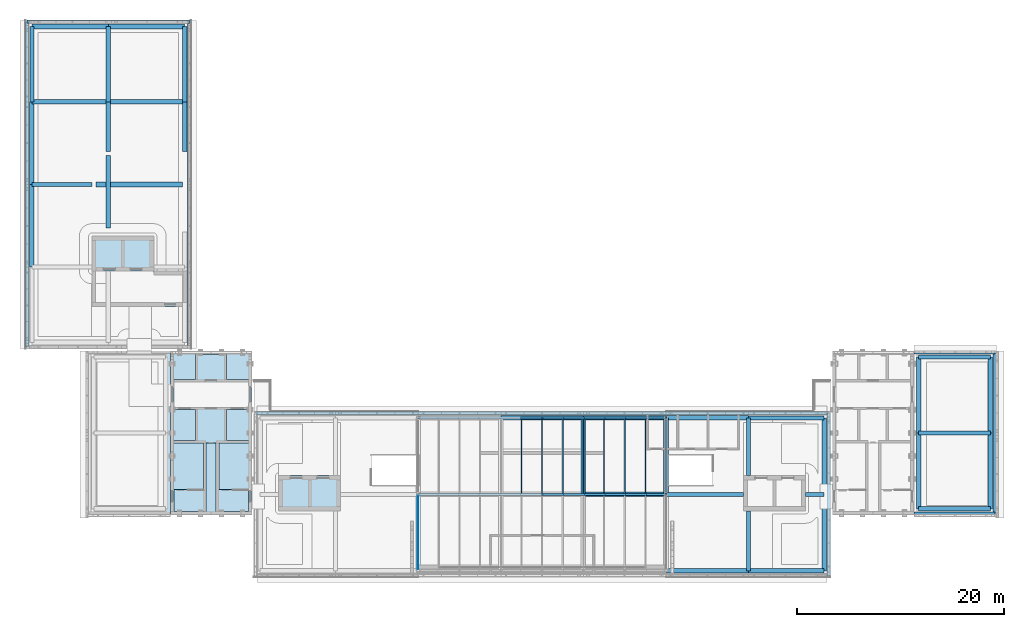
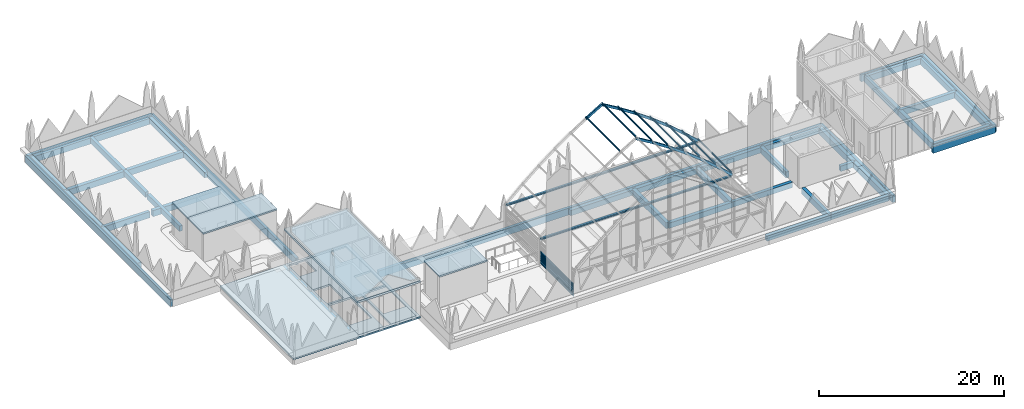
# One storey, part 7 of 18: 46 beams, 21 members, 7 plates, 6 slabs.
"""IFC4 building model written with IfcOpenShell, lengths in metres."""

from ifc_helpers import new_model, si_unit, direction, frame, origin, origin_2d, place, context, subcontext, project, spatial, polyline, rectangle, hollow_rectangle, i_section, outline, extrude, material, layer, layer_set, material_profile, profile_set, type_object, element, save


model = new_model("IFC4")

# Units and contexts
model_context = context("Model", 3, precision=1e-05, world=origin(), true_north=direction((0.0, 1.0)))
body_context = subcontext(model_context, "Body", "Model", "MODEL_VIEW")
ifc_project = project(units=[si_unit("LENGTHUNIT", "METRE"), si_unit("AREAUNIT", "SQUARE_METRE"), si_unit("VOLUMEUNIT", "CUBIC_METRE"), si_unit("PLANEANGLEUNIT", "RADIAN"), si_unit("MASSUNIT", "GRAM", prefix="KILO")], contexts=[model_context])

# Site, building, storey
site_placement = place(None, origin())
site = spatial("IfcSite", under=ifc_project, at=site_placement, CompositionType="ELEMENT")
building_placement = place(site_placement, origin())
building = spatial("IfcBuilding", under=site, at=building_placement, Name="Lantern Court Media Centre", CompositionType="ELEMENT")
storey_placement = place(building_placement, frame((0.0, 0.0, 33.60009765625)))
storey = spatial("IfcBuildingStorey", under=building, at=storey_placement, Name="R00", CompositionType="ELEMENT", Elevation=33.60009765625)

# Members
ifc_material_1 = material(Name="Steel S355J2 (EN 10025-2)", Category="steel")
ifc_material_profile_1 = material_profile(ifc_material_1, hollow_rectangle(XDim=0.199951171875, YDim=0.300048828125, WallThickness=0.010009765625, InnerFilletRadius=0.010009765625, OuterFilletRadius=0.014892578125, at=origin_2d()), Name="Pavilion arch RHS 300x200x10")
ifc_profile_set_1 = profile_set([ifc_material_profile_1], Name="Steel S355J2 (EN 10025-2)")
member_type_1 = type_object("IfcMemberType", Name="Pavilion arch RHS 300x200x10", PredefinedType="RAFTER", material=ifc_profile_set_1)
member_1_placement = place(storey_placement, frame((52.0, 50.0, 12.5), z_axis=(0.858932784057, 0.0, -0.512088344401), x_axis=(0.0, 1.0, 0.0)))
element("IfcMember", 1, at=member_1_placement, inside=storey, type_object=member_type_1, Name="Pavilion arch 2 segment 7", PredefinedType="RAFTER", context=body_context, shape_type="SweptSolid", body=[
    extrude(hollow_rectangle(XDim=0.199951171875, YDim=0.300048828125, WallThickness=0.010009765625, InnerFilletRadius=0.010009765625, OuterFilletRadius=0.014892578125, at=origin_2d()), origin(), (0.0, 0.0, 1.0), 2.328369140625),
])
member_2_placement = place(storey_placement, frame((54.0, 50.0, 11.3076171875), z_axis=(0.838153638931, 0.0, -0.5454342101), x_axis=(0.0, 1.0, 0.0)))
element("IfcMember", 2, at=member_2_placement, inside=storey, type_object=member_type_1, Name="Pavilion arch 2 segment 8", PredefinedType="RAFTER", context=body_context, shape_type="SweptSolid", body=[
    extrude(hollow_rectangle(XDim=0.199951171875, YDim=0.300048828125, WallThickness=0.010009765625, InnerFilletRadius=0.010009765625, OuterFilletRadius=0.014892578125, at=origin_2d()), origin(), (0.0, 0.0, 1.0), 2.38623046875),
])
member_3_placement = place(storey_placement, frame((56.0, 50.0, 10.006103515625), z_axis=(0.815538972935, 0.0, -0.578702154501), x_axis=(0.0, 1.0, 0.0)))
element("IfcMember", 3, at=member_3_placement, inside=storey, type_object=member_type_1, Name="Pavilion arch 2 segment 9", PredefinedType="RAFTER", context=body_context, shape_type="SweptSolid", body=[
    extrude(hollow_rectangle(XDim=0.199951171875, YDim=0.300048828125, WallThickness=0.010009765625, InnerFilletRadius=0.010009765625, OuterFilletRadius=0.014892578125, at=origin_2d()), origin(), (0.0, 0.0, 1.0), 2.452392578125),
])
member_4_placement = place(storey_placement, frame((58.0, 50.0, 8.5869140625), z_axis=(0.790779474833, 0.0, -0.612101153554), x_axis=(0.0, 1.0, 0.0)))
element("IfcMember", 4, at=member_4_placement, inside=storey, type_object=member_type_1, Name="Pavilion arch 2 segment 10", PredefinedType="RAFTER", context=body_context, shape_type="SweptSolid", body=[
    extrude(hollow_rectangle(XDim=0.199951171875, YDim=0.300048828125, WallThickness=0.010009765625, InnerFilletRadius=0.010009765625, OuterFilletRadius=0.014892578125, at=origin_2d()), origin(), (0.0, 0.0, 1.0), 2.529052734375),
])
member_5_placement = place(storey_placement, frame((60.0, 50.0, 7.038818359375), z_axis=(0.763785766205, 0.0, -0.645469831474), x_axis=(0.0, 1.0, 0.0)))
element("IfcMember", 5, at=member_5_placement, inside=storey, type_object=member_type_1, Name="Pavilion arch 2 segment 11", PredefinedType="RAFTER", context=body_context, shape_type="SweptSolid", body=[
    extrude(hollow_rectangle(XDim=0.199951171875, YDim=0.300048828125, WallThickness=0.010009765625, InnerFilletRadius=0.010009765625, OuterFilletRadius=0.014892578125, at=origin_2d()), origin(), (0.0, 0.0, 1.0), 2.61865234375),
])
member_6_placement = place(storey_placement, frame((62.0, 50.0, 5.3486328125), z_axis=(0.73434962729, 0.0, -0.678771408428), x_axis=(0.0, 1.0, 0.0)))
element("IfcMember", 6, at=member_6_placement, inside=storey, type_object=member_type_1, Name="Pavilion arch 2 segment 12", PredefinedType="RAFTER", context=body_context, shape_type="SweptSolid", body=[
    extrude(hollow_rectangle(XDim=0.199951171875, YDim=0.300048828125, WallThickness=0.010009765625, InnerFilletRadius=0.010009765625, OuterFilletRadius=0.014892578125, at=origin_2d()), origin(), (0.0, 0.0, 1.0), 2.723388671875),
])
for number, where, z_axis, x_axis, name in (
    (7, (50.0, 57.39990234375, 11.3076171875), (0.858932784057, 0.0, 0.512088344401), (0.0, 1.0, 0.0), "Pavilion arch 3 segment 6"),
    (8, (52.0, 57.39990234375, 12.5), (0.858932784057, 0.0, -0.512088344401), (0.0, 1.0, 0.0), "Pavilion arch 3 segment 7"),
):
    element("IfcMember", number, at=place(storey_placement, frame(where, z_axis=z_axis, x_axis=x_axis)), inside=storey, type_object=member_type_1, Name=name, PredefinedType="RAFTER", context=body_context, shape_type="SweptSolid", body=[
        extrude(hollow_rectangle(XDim=0.199951171875, YDim=0.300048828125, WallThickness=0.010009765625, InnerFilletRadius=0.010009765625, OuterFilletRadius=0.014892578125, at=origin_2d()), origin(), (0.0, 0.0, 1.0), 2.328369140625),
    ])
member_7_placement = place(storey_placement, frame((54.0, 57.39990234375, 11.3076171875), z_axis=(0.838153638931, 0.0, -0.5454342101), x_axis=(0.0, 1.0, 0.0)))
element("IfcMember", 9, at=member_7_placement, inside=storey, type_object=member_type_1, Name="Pavilion arch 3 segment 8", PredefinedType="RAFTER", context=body_context, shape_type="SweptSolid", body=[
    extrude(hollow_rectangle(XDim=0.199951171875, YDim=0.300048828125, WallThickness=0.010009765625, InnerFilletRadius=0.010009765625, OuterFilletRadius=0.014892578125, at=origin_2d()), origin(), (0.0, 0.0, 1.0), 2.38623046875),
])
member_8_placement = place(storey_placement, frame((56.0, 57.39990234375, 10.006103515625), z_axis=(0.815538972935, 0.0, -0.578702154501), x_axis=(0.0, 1.0, 0.0)))
element("IfcMember", 10, at=member_8_placement, inside=storey, type_object=member_type_1, Name="Pavilion arch 3 segment 9", PredefinedType="RAFTER", context=body_context, shape_type="SweptSolid", body=[
    extrude(hollow_rectangle(XDim=0.199951171875, YDim=0.300048828125, WallThickness=0.010009765625, InnerFilletRadius=0.010009765625, OuterFilletRadius=0.014892578125, at=origin_2d()), origin(), (0.0, 0.0, 1.0), 2.452392578125),
])
member_9_placement = place(storey_placement, frame((58.0, 57.39990234375, 8.5869140625), z_axis=(0.790779474833, 0.0, -0.612101153554), x_axis=(0.0, 1.0, 0.0)))
element("IfcMember", 11, at=member_9_placement, inside=storey, type_object=member_type_1, Name="Pavilion arch 3 segment 10", PredefinedType="RAFTER", context=body_context, shape_type="SweptSolid", body=[
    extrude(hollow_rectangle(XDim=0.199951171875, YDim=0.300048828125, WallThickness=0.010009765625, InnerFilletRadius=0.010009765625, OuterFilletRadius=0.014892578125, at=origin_2d()), origin(), (0.0, 0.0, 1.0), 2.529052734375),
])
member_10_placement = place(storey_placement, frame((60.0, 57.39990234375, 7.038818359375), z_axis=(0.763785766205, 0.0, -0.645469831474), x_axis=(0.0, 1.0, 0.0)))
element("IfcMember", 12, at=member_10_placement, inside=storey, type_object=member_type_1, Name="Pavilion arch 3 segment 11", PredefinedType="RAFTER", context=body_context, shape_type="SweptSolid", body=[
    extrude(hollow_rectangle(XDim=0.199951171875, YDim=0.300048828125, WallThickness=0.010009765625, InnerFilletRadius=0.010009765625, OuterFilletRadius=0.014892578125, at=origin_2d()), origin(), (0.0, 0.0, 1.0), 2.61865234375),
])
member_11_placement = place(storey_placement, frame((62.0, 57.39990234375, 5.3486328125), z_axis=(0.73434962729, 0.0, -0.678771408428), x_axis=(0.0, 1.0, 0.0)))
element("IfcMember", 13, at=member_11_placement, inside=storey, type_object=member_type_1, Name="Pavilion arch 3 segment 12", PredefinedType="RAFTER", context=body_context, shape_type="SweptSolid", body=[
    extrude(hollow_rectangle(XDim=0.199951171875, YDim=0.300048828125, WallThickness=0.010009765625, InnerFilletRadius=0.010009765625, OuterFilletRadius=0.014892578125, at=origin_2d()), origin(), (0.0, 0.0, 1.0), 2.723388671875),
])

# Beams
ifc_material_profile_2 = material_profile(ifc_material_1, i_section(OverallWidth=0.239990234375, OverallDepth=0.22998046875, WebThickness=0.007568359375, FlangeThickness=0.011962890625, FilletRadius=0.02099609375, at=origin_2d()), Name="HEA 240")
ifc_profile_set_2 = profile_set([ifc_material_profile_2], Name="Steel S355J2 (EN 10025-2)")
beam_type_1 = type_object("IfcBeamType", Name="Pavilion arch tie HEA 240", PredefinedType="BEAM", material=ifc_profile_set_2)
for number, where, z_axis, x_axis, name in (
    (14, (40.0, 50.0, 3.385009765625), (1.0, 0.0, 0.0), (0.0, 1.0, 0.0), "Pavilion arch 2 tie beam"),
    (15, (40.0, 57.39990234375, 3.385009765625), (1.0, 0.0, 0.0), (0.0, 1.0, 0.0), "Pavilion arch 3 tie beam"),
):
    element("IfcBeam", number, at=place(storey_placement, frame(where, z_axis=z_axis, x_axis=x_axis)), inside=storey, type_object=beam_type_1, Name=name, PredefinedType="BEAM", context=body_context, shape_type="SweptSolid", body=[
        extrude(i_section(OverallWidth=0.239990234375, OverallDepth=0.22998046875, WebThickness=0.007568359375, FlangeThickness=0.011962890625, FilletRadius=0.02099609375, at=origin_2d()), origin(), (0.0, 0.0, 1.0), 24.0),
    ])

# Members
ifc_material_profile_3 = material_profile(ifc_material_1, i_section(OverallWidth=0.10009765625, OverallDepth=0.199951171875, WebThickness=0.005615234375, FlangeThickness=0.008544921875, FilletRadius=0.011962890625, at=origin_2d()), Name="IPE 200")
ifc_profile_set_3 = profile_set([ifc_material_profile_3], Name="Steel S355J2 (EN 10025-2)")
member_type_2 = type_object("IfcMemberType", Name="Pavilion purlin IPE 200", PredefinedType="PURLIN", material=ifc_profile_set_3)
for number, where, z_axis, x_axis, name in (
    (16, (50.0, 50.0, 11.5576171875), (0.0, 1.0, 0.0), (-1.0, 0.0, 0.0), "Pavilion purlin 6-2"),
    (17, (52.0, 50.0, 12.728271484375), (0.0, 1.0, 0.0), (-1.0, 0.0, 0.0), "Pavilion purlin 7-2"),
    (18, (54.0, 50.0, 11.5576171875), (0.0, 1.0, 0.0), (-1.0, 0.0, 0.0), "Pavilion purlin 8-2"),
    (19, (56.0, 50.0, 10.256103515625), (0.0, 1.0, 0.0), (-1.0, 0.0, 0.0), "Pavilion purlin 9-2"),
    (20, (58.0, 50.0, 8.8369140625), (0.0, 1.0, 0.0), (-1.0, 0.0, 0.0), "Pavilion purlin 10-2"),
    (21, (60.0, 50.0, 7.288818359375), (0.0, 1.0, 0.0), (-1.0, 0.0, 0.0), "Pavilion purlin 11-2"),
    (22, (62.0, 50.0, 5.5986328125), (0.0, 1.0, 0.0), (-1.0, 0.0, 0.0), "Pavilion purlin 12-2"),
    (23, (64.0, 50.0, 3.75), (0.0, 1.0, 0.0), (-1.0, 0.0, 0.0), "Pavilion purlin 13-2"),
):
    element("IfcMember", number, at=place(storey_placement, frame(where, z_axis=z_axis, x_axis=x_axis)), inside=storey, type_object=member_type_2, Name=name, PredefinedType="PURLIN", context=body_context, shape_type="SweptSolid", body=[
        extrude(i_section(OverallWidth=0.10009765625, OverallDepth=0.199951171875, WebThickness=0.005615234375, FlangeThickness=0.008544921875, FilletRadius=0.011962890625, at=origin_2d()), origin(), (0.0, 0.0, 1.0), 7.39990234375),
    ])

# Beams
ifc_material_2 = material(Name="Concrete C35", Category="concrete")
ifc_material_profile_4 = material_profile(ifc_material_2, rectangle(XDim=0.300048828125, YDim=0.89990234375, at=origin_2d()), Name="RC 300x900")
ifc_profile_set_4 = profile_set([ifc_material_profile_4], Name="Concrete C35")
beam_type_2 = type_object("IfcBeamType", Name="RC BEAM 300x900", PredefinedType="BEAM", material=ifc_profile_set_4)
for number, where, z_axis, x_axis, name in (
    (24, (88.02001953125, 48.14990234375, -0.4501953125), (1.0, 0.0, 0.0), (0.0, 1.0, 0.0), "EB-SE-R00-S"),
    (25, (88.02001953125, 63.75, -0.4501953125), (1.0, 0.0, 0.0), (0.0, 1.0, 0.0), "EB-SE-R00-N"),
):
    element("IfcBeam", number, at=place(storey_placement, frame(where, z_axis=z_axis, x_axis=x_axis)), inside=storey, type_object=beam_type_2, Name=name, PredefinedType="BEAM", context=body_context, shape_type="SweptSolid", body=[
        extrude(rectangle(XDim=0.300048828125, YDim=0.89990234375, at=origin_2d()), origin(), (0.0, 0.0, 1.0), 7.830078125),
    ])
ifc_material_profile_5 = material_profile(ifc_material_2, rectangle(XDim=0.35009765625, YDim=0.89990234375, at=origin_2d()), Name="RC 350x900")
ifc_profile_set_5 = profile_set([ifc_material_profile_5], Name="Concrete C35")
beam_type_3 = type_object("IfcBeamType", Name="RC BEAM 350x900", PredefinedType="BEAM", material=ifc_profile_set_5)
beam_1_placement = place(storey_placement, frame((95.85009765625, 48.14990234375, -0.4501953125), z_axis=(0.0, 1.0, 0.0), x_axis=(-1.0, 0.0, 0.0)))
element("IfcBeam", 26, at=beam_1_placement, inside=storey, type_object=beam_type_3, Name="EB-SE-R00-E", PredefinedType="BEAM", context=body_context, shape_type="SweptSolid", body=[
    extrude(rectangle(XDim=0.35009765625, YDim=0.89990234375, at=origin_2d()), origin(), (0.0, 0.0, 1.0), 15.60009765625),
])
beam_2_placement = place(storey_placement, frame((24.25, 57.85009765625, -0.4501953125), z_axis=(1.0, 0.0, 0.0), x_axis=(0.0, 1.0, 0.0)))
element("IfcBeam", 27, at=beam_2_placement, inside=storey, type_object=beam_type_3, Name="EB-S-R00-B", PredefinedType="BEAM", context=body_context, shape_type="SweptSolid", body=[
    extrude(rectangle(XDim=0.35009765625, YDim=0.89990234375, at=origin_2d()), origin(), (0.0, 0.0, 1.0), 55.5),
])
beam_3_placement = place(storey_placement, frame((79.75, 42.14990234375, -0.4501953125), z_axis=(0.0, 1.0, 0.0), x_axis=(-1.0, 0.0, 0.0)))
element("IfcBeam", 28, at=beam_3_placement, inside=storey, type_object=beam_type_3, Name="EB-S-R00-D", PredefinedType="BEAM", context=body_context, shape_type="SweptSolid", body=[
    extrude(rectangle(XDim=0.35009765625, YDim=0.89990234375, at=origin_2d()), origin(), (0.0, 0.0, 1.0), 15.7001953125),
])
for number, where, z_axis, x_axis, name in (
    (29, (2.14990234375, 64.25, -0.4501953125), (0.0, 1.0, 0.0), (-1.0, 0.0, 0.0), "EB-W-R00-A"),
    (30, (17.85009765625, 64.25, -0.4501953125), (0.0, 1.0, 0.0), (-1.0, 0.0, 0.0), "EB-W-R00-B"),
):
    element("IfcBeam", number, at=place(storey_placement, frame(where, z_axis=z_axis, x_axis=x_axis)), inside=storey, type_object=beam_type_3, Name=name, PredefinedType="BEAM", context=body_context, shape_type="SweptSolid", body=[
        extrude(rectangle(XDim=0.35009765625, YDim=0.89990234375, at=origin_2d()), origin(), (0.0, 0.0, 1.0), 31.5),
    ])
beam_4_placement = place(storey_placement, frame((2.14990234375, 95.75, -0.4501953125), z_axis=(1.0, 0.0, 0.0), x_axis=(0.0, 1.0, 0.0)))
element("IfcBeam", 31, at=beam_4_placement, inside=storey, type_object=beam_type_3, Name="EB-W-R00-D", PredefinedType="BEAM", context=body_context, shape_type="SweptSolid", body=[
    extrude(rectangle(XDim=0.35009765625, YDim=0.89990234375, at=origin_2d()), origin(), (0.0, 0.0, 1.0), 15.7001953125),
])
ifc_material_profile_6 = material_profile(ifc_material_2, rectangle(XDim=0.39990234375, YDim=0.699951171875, at=origin_2d()), Name="RC 400x700")
ifc_profile_set_6 = profile_set([ifc_material_profile_6], Name="Concrete C35")
beam_type_4 = type_object("IfcBeamType", Name="RC BEAM 400x700", PredefinedType="BEAM", material=ifc_profile_set_6)
beam_5_placement = place(storey_placement, frame((72.0, 42.60009765625, -0.35009765625), z_axis=(1.0, 0.0, 0.0), x_axis=(0.0, 1.0, 0.0)))
element("IfcBeam", 32, at=beam_5_placement, inside=storey, type_object=beam_type_4, Name="LB-S-R00-0-6", PredefinedType="BEAM", context=body_context, shape_type="SweptSolid", body=[
    extrude(rectangle(XDim=0.39990234375, YDim=0.699951171875, at=origin_2d()), origin(), (0.0, 0.0, 1.0), 7.300048828125),
])
beam_6_placement = place(storey_placement, frame((64.0, 50.0, -0.35009765625), z_axis=(1.0, 0.0, 0.0), x_axis=(0.0, 1.0, 0.0)))
element("IfcBeam", 33, at=beam_6_placement, inside=storey, type_object=beam_type_4, Name="LB-S-R00-1-5", PredefinedType="BEAM", context=body_context, shape_type="SweptSolid", body=[
    extrude(rectangle(XDim=0.39990234375, YDim=0.699951171875, at=origin_2d()), origin(), (0.0, 0.0, 1.0), 7.5),
])
beam_7_placement = place(storey_placement, frame((77.5, 50.0, -0.35009765625), z_axis=(1.0, 0.0, 0.0), x_axis=(0.0, 1.0, 0.0)))
element("IfcBeam", 34, at=beam_7_placement, inside=storey, type_object=beam_type_4, Name="LB-S-R00-1-51", PredefinedType="BEAM", context=body_context, shape_type="SweptSolid", body=[
    extrude(rectangle(XDim=0.39990234375, YDim=0.699951171875, at=origin_2d()), origin(), (0.0, 0.0, 1.0), 1.800048828125),
])
for number, where, z_axis, x_axis, name in (
    (35, (72.0, 57.39990234375, -0.35009765625), (1.0, 0.0, 0.0), (0.0, 1.0, 0.0), "LB-S-R00-2-6"),
    (36, (2.60009765625, 88.0, -0.35009765625), (0.0, 1.0, 0.0), (-1.0, 0.0, 0.0), "LB-W-R00-0-3"),
):
    element("IfcBeam", number, at=place(storey_placement, frame(where, z_axis=z_axis, x_axis=x_axis)), inside=storey, type_object=beam_type_4, Name=name, PredefinedType="BEAM", context=body_context, shape_type="SweptSolid", body=[
        extrude(rectangle(XDim=0.39990234375, YDim=0.699951171875, at=origin_2d()), origin(), (0.0, 0.0, 1.0), 7.300048828125),
    ])
beam_8_placement = place(storey_placement, frame((10.0, 75.800048828125, -0.35009765625), z_axis=(0.0, 1.0, 0.0), x_axis=(-1.0, 0.0, 0.0)))
element("IfcBeam", 37, at=beam_8_placement, inside=storey, type_object=beam_type_4, Name="LB-W-R00-1-01", PredefinedType="BEAM", context=body_context, shape_type="SweptSolid", body=[
    extrude(rectangle(XDim=0.39990234375, YDim=0.699951171875, at=origin_2d()), origin(), (0.0, 0.0, 1.0), 7.0),
])
beam_9_placement = place(storey_placement, frame((10.0, 83.199951171875, -0.35009765625), z_axis=(0.0, 1.0, 0.0), x_axis=(-1.0, 0.0, 0.0)))
element("IfcBeam", 38, at=beam_9_placement, inside=storey, type_object=beam_type_4, Name="LB-W-R00-1-02", PredefinedType="BEAM", context=body_context, shape_type="SweptSolid", body=[
    extrude(rectangle(XDim=0.39990234375, YDim=0.699951171875, at=origin_2d()), origin(), (0.0, 0.0, 1.0), 4.800048828125),
])
beam_10_placement = place(storey_placement, frame((10.0, 88.0, -0.35009765625), z_axis=(0.0, 1.0, 0.0), x_axis=(-1.0, 0.0, 0.0)))
element("IfcBeam", 39, at=beam_10_placement, inside=storey, type_object=beam_type_4, Name="LB-W-R00-1-3", PredefinedType="BEAM", context=body_context, shape_type="SweptSolid", body=[
    extrude(rectangle(XDim=0.39990234375, YDim=0.699951171875, at=origin_2d()), origin(), (0.0, 0.0, 1.0), 7.300048828125),
])
beam_11_placement = place(storey_placement, frame((17.39990234375, 83.199951171875, -0.35009765625), z_axis=(0.0, 1.0, 0.0), x_axis=(-1.0, 0.0, 0.0)))
element("IfcBeam", 40, at=beam_11_placement, inside=storey, type_object=beam_type_4, Name="LB-W-R00-2-11", PredefinedType="BEAM", context=body_context, shape_type="SweptSolid", body=[
    extrude(rectangle(XDim=0.39990234375, YDim=0.699951171875, at=origin_2d()), origin(), (0.0, 0.0, 1.0), 4.800048828125),
])
beam_12_placement = place(storey_placement, frame((17.39990234375, 88.0, -0.35009765625), z_axis=(0.0, 1.0, 0.0), x_axis=(-1.0, 0.0, 0.0)))
element("IfcBeam", 41, at=beam_12_placement, inside=storey, type_object=beam_type_4, Name="LB-W-R00-2-3", PredefinedType="BEAM", context=body_context, shape_type="SweptSolid", body=[
    extrude(rectangle(XDim=0.39990234375, YDim=0.699951171875, at=origin_2d()), origin(), (0.0, 0.0, 1.0), 7.300048828125),
])
ifc_material_profile_7 = material_profile(ifc_material_2, rectangle(XDim=0.39990234375, YDim=0.800048828125, at=origin_2d()), Name="RC 400x800")
ifc_profile_set_7 = profile_set([ifc_material_profile_7], Name="Concrete C35")
beam_type_5 = type_object("IfcBeamType", Name="RC BEAM 400x800", PredefinedType="BEAM", material=ifc_profile_set_7)
for number, where, z_axis, x_axis, name in (
    (42, (88.449951171875, 48.60009765625, -0.400146484375), (1.0, 0.0, 0.0), (0.0, 1.0, 0.0), "BB-SE-R00-Y0-48"),
    (43, (88.449951171875, 55.949951171875, -0.400146484375), (1.0, 0.0, 0.0), (0.0, 1.0, 0.0), "BB-SE-R00-Y0-55"),
    (44, (88.449951171875, 63.300048828125, -0.400146484375), (1.0, 0.0, 0.0), (0.0, 1.0, 0.0), "BB-SE-R00-Y0-63"),
):
    element("IfcBeam", number, at=place(storey_placement, frame(where, z_axis=z_axis, x_axis=x_axis)), inside=storey, type_object=beam_type_5, Name=name, PredefinedType="BEAM", context=body_context, shape_type="SweptSolid", body=[
        extrude(rectangle(XDim=0.39990234375, YDim=0.800048828125, at=origin_2d()), origin(), (0.0, 0.0, 1.0), 6.949951171875),
    ])
beam_13_placement = place(storey_placement, frame((72.0, 42.60009765625, -0.400146484375), z_axis=(0.0, 1.0, 0.0), x_axis=(-1.0, 0.0, 0.0)))
element("IfcBeam", 45, at=beam_13_placement, inside=storey, type_object=beam_type_5, Name="TB-S-R00-6-1", PredefinedType="BEAM", context=body_context, shape_type="SweptSolid", body=[
    extrude(rectangle(XDim=0.39990234375, YDim=0.800048828125, at=origin_2d()), origin(), (0.0, 0.0, 1.0), 5.7998046875),
])
beam_14_placement = place(storey_placement, frame((72.0, 51.800048828125, -0.400146484375), z_axis=(0.0, 1.0, 0.0), x_axis=(-1.0, 0.0, 0.0)))
element("IfcBeam", 46, at=beam_14_placement, inside=storey, type_object=beam_type_5, Name="TB-S-R00-6-11", PredefinedType="BEAM", context=body_context, shape_type="SweptSolid", body=[
    extrude(rectangle(XDim=0.39990234375, YDim=0.800048828125, at=origin_2d()), origin(), (0.0, 0.0, 1.0), 5.599853515625),
])
beam_15_placement = place(storey_placement, frame((2.60009765625, 80.0, -0.400146484375), z_axis=(1.0, 0.0, 0.0), x_axis=(0.0, 1.0, 0.0)))
element("IfcBeam", 47, at=beam_15_placement, inside=storey, type_object=beam_type_5, Name="TB-W-R00-2-1", PredefinedType="BEAM", context=body_context, shape_type="SweptSolid", body=[
    extrude(rectangle(XDim=0.39990234375, YDim=0.800048828125, at=origin_2d()), origin(), (0.0, 0.0, 1.0), 5.7998046875),
])
ifc_material_profile_8 = material_profile(ifc_material_2, rectangle(XDim=0.449951171875, YDim=0.699951171875, at=origin_2d()), Name="RC 450x700")
ifc_profile_set_8 = profile_set([ifc_material_profile_8], Name="Concrete C35")
beam_type_6 = type_object("IfcBeamType", Name="RC BEAM 450x700", PredefinedType="BEAM", material=ifc_profile_set_8)
for number, where, z_axis, x_axis, name in (
    (48, (64.0, 42.60009765625, -0.35009765625), (1.0, 0.0, 0.0), (0.0, 1.0, 0.0), "LB-S-R00-0-5"),
    (49, (56.0, 50.0, -0.35009765625), (1.0, 0.0, 0.0), (0.0, 1.0, 0.0), "LB-S-R00-1-4"),
    (50, (48.0, 57.39990234375, -0.35009765625), (1.0, 0.0, 0.0), (0.0, 1.0, 0.0), "LB-S-R00-2-3"),
    (51, (56.0, 57.39990234375, -0.35009765625), (1.0, 0.0, 0.0), (0.0, 1.0, 0.0), "LB-S-R00-2-4"),
    (52, (64.0, 57.39990234375, -0.35009765625), (1.0, 0.0, 0.0), (0.0, 1.0, 0.0), "LB-S-R00-2-5"),
    (53, (2.60009765625, 72.0, -0.35009765625), (0.0, 1.0, 0.0), (-1.0, 0.0, 0.0), "LB-W-R00-0-1"),
    (54, (2.60009765625, 80.0, -0.35009765625), (0.0, 1.0, 0.0), (-1.0, 0.0, 0.0), "LB-W-R00-0-2"),
):
    element("IfcBeam", number, at=place(storey_placement, frame(where, z_axis=z_axis, x_axis=x_axis)), inside=storey, type_object=beam_type_6, Name=name, PredefinedType="BEAM", context=body_context, shape_type="SweptSolid", body=[
        extrude(rectangle(XDim=0.449951171875, YDim=0.699951171875, at=origin_2d()), origin(), (0.0, 0.0, 1.0), 8.0),
    ])
ifc_material_profile_9 = material_profile(ifc_material_2, rectangle(XDim=0.449951171875, YDim=0.800048828125, at=origin_2d()), Name="RC 450x800")
ifc_profile_set_9 = profile_set([ifc_material_profile_9], Name="Concrete C35")
beam_type_7 = type_object("IfcBeamType", Name="RC BEAM 450x800", PredefinedType="BEAM", material=ifc_profile_set_9)
beam_16_placement = place(storey_placement, frame((88.449951171875, 48.60009765625, -0.400146484375), z_axis=(0.0, 1.0, 0.0), x_axis=(-1.0, 0.0, 0.0)))
element("IfcBeam", 55, at=beam_16_placement, inside=storey, type_object=beam_type_7, Name="BB-SE-R00-X0-88", PredefinedType="BEAM", context=body_context, shape_type="SweptSolid", body=[
    extrude(rectangle(XDim=0.449951171875, YDim=0.800048828125, at=origin_2d()), origin(), (0.0, 0.0, 1.0), 7.349853515625),
])
beam_17_placement = place(storey_placement, frame((88.449951171875, 55.949951171875, -0.400146484375), z_axis=(0.0, 1.0, 0.0), x_axis=(-1.0, 0.0, 0.0)))
element("IfcBeam", 56, at=beam_17_placement, inside=storey, type_object=beam_type_7, Name="BB-SE-R00-X1-88", PredefinedType="BEAM", context=body_context, shape_type="SweptSolid", body=[
    extrude(rectangle(XDim=0.449951171875, YDim=0.800048828125, at=origin_2d()), origin(), (0.0, 0.0, 1.0), 7.35009765625),
])
beam_18_placement = place(storey_placement, frame((95.39990234375, 48.60009765625, -0.400146484375), z_axis=(0.0, 1.0, 0.0), x_axis=(-1.0, 0.0, 0.0)))
element("IfcBeam", 57, at=beam_18_placement, inside=storey, type_object=beam_type_7, Name="BB-SE-R00-X0-95", PredefinedType="BEAM", context=body_context, shape_type="SweptSolid", body=[
    extrude(rectangle(XDim=0.449951171875, YDim=0.800048828125, at=origin_2d()), origin(), (0.0, 0.0, 1.0), 7.349853515625),
])
beam_19_placement = place(storey_placement, frame((95.39990234375, 55.949951171875, -0.400146484375), z_axis=(0.0, 1.0, 0.0), x_axis=(-1.0, 0.0, 0.0)))
element("IfcBeam", 58, at=beam_19_placement, inside=storey, type_object=beam_type_7, Name="BB-SE-R00-X1-95", PredefinedType="BEAM", context=body_context, shape_type="SweptSolid", body=[
    extrude(rectangle(XDim=0.449951171875, YDim=0.800048828125, at=origin_2d()), origin(), (0.0, 0.0, 1.0), 7.35009765625),
])
for number, where, z_axis, x_axis, name in (
    (59, (56.0, 50.0, -0.400146484375), (0.0, 1.0, 0.0), (-1.0, 0.0, 0.0), "TB-S-R00-4-2"),
    (60, (64.0, 50.0, -0.400146484375), (0.0, 1.0, 0.0), (-1.0, 0.0, 0.0), "TB-S-R00-5-2"),
    (61, (79.300048828125, 42.60009765625, -0.400146484375), (0.0, 1.0, 0.0), (-1.0, 0.0, 0.0), "TB-S-R00-7-1"),
    (62, (79.300048828125, 50.0, -0.400146484375), (0.0, 1.0, 0.0), (-1.0, 0.0, 0.0), "TB-S-R00-7-2"),
):
    element("IfcBeam", number, at=place(storey_placement, frame(where, z_axis=z_axis, x_axis=x_axis)), inside=storey, type_object=beam_type_7, Name=name, PredefinedType="BEAM", context=body_context, shape_type="SweptSolid", body=[
        extrude(rectangle(XDim=0.449951171875, YDim=0.800048828125, at=origin_2d()), origin(), (0.0, 0.0, 1.0), 7.39990234375),
    ])
beam_20_placement = place(storey_placement, frame((8.800048828125, 80.0, -0.400146484375), z_axis=(1.0, 0.0, 0.0), x_axis=(0.0, 1.0, 0.0)))
element("IfcBeam", 63, at=beam_20_placement, inside=storey, type_object=beam_type_7, Name="TB-W-R00-2-11", PredefinedType="BEAM", context=body_context, shape_type="SweptSolid", body=[
    extrude(rectangle(XDim=0.449951171875, YDim=0.800048828125, at=origin_2d()), origin(), (0.0, 0.0, 1.0), 8.39990234375),
])
for number, where, z_axis, x_axis, name in (
    (64, (2.60009765625, 88.0, -0.400146484375), (1.0, 0.0, 0.0), (0.0, 1.0, 0.0), "TB-W-R00-3-1"),
    (65, (10.0, 88.0, -0.400146484375), (1.0, 0.0, 0.0), (0.0, 1.0, 0.0), "TB-W-R00-3-2"),
    (66, (2.60009765625, 95.300048828125, -0.400146484375), (1.0, 0.0, 0.0), (0.0, 1.0, 0.0), "TB-W-R00-4-1"),
    (67, (10.0, 95.300048828125, -0.400146484375), (1.0, 0.0, 0.0), (0.0, 1.0, 0.0), "TB-W-R00-4-2"),
):
    element("IfcBeam", number, at=place(storey_placement, frame(where, z_axis=z_axis, x_axis=x_axis)), inside=storey, type_object=beam_type_7, Name=name, PredefinedType="BEAM", context=body_context, shape_type="SweptSolid", body=[
        extrude(rectangle(XDim=0.449951171875, YDim=0.800048828125, at=origin_2d()), origin(), (0.0, 0.0, 1.0), 7.39990234375),
    ])

# Slabs
ifc_material_3 = material(Name="Concrete C40", Category="concrete")
ifc_layer_1 = layer(ifc_material_3, 0.25)
ifc_layer_set_1 = layer_set([ifc_layer_1], Name="Concrete C40")
slab_type_1 = type_object("IfcSlabType", Name="Core floor slab 250", PredefinedType="FLOOR", material=ifc_layer_set_1)
slab_1_placement = place(storey_placement, frame((0.0, 0.0, -0.25)))
element("IfcSlab", 68, at=slab_1_placement, inside=storey, type_object=slab_type_1, Name="R00 SW core floor", PredefinedType="FLOOR", context=body_context, shape_type="SweptSolid", body=[
    extrude(outline(polyline([(16.35009765625, 58.199951171875), (16.35009765625, 61.10009765625), (18.449951171875, 61.10009765625), (18.449951171875, 63.550048828125), (21.449951171875, 63.550048828125), (21.449951171875, 61.10009765625), (23.550048828125, 61.10009765625), (23.550048828125, 58.199951171875), (21.449951171875, 58.199951171875), (21.449951171875, 55.199951171875), (23.550048828125, 55.199951171875), (23.550048828125, 54.94970703125), (20.700439453125, 54.94970703125), (20.700439453125, 50.450439453125), (23.550048828125, 50.450439453125), (23.550048828125, 48.35009765625), (20.449951171875, 48.35009765625), (20.449951171875, 54.949951171875), (19.449951171875, 54.949951171875), (19.449951171875, 48.35009765625), (16.35009765625, 48.35009765625), (16.35009765625, 50.450439453125), (19.19970703125, 50.450439453125), (19.19970703125, 54.94970703125), (16.35009765625, 54.94970703125), (16.35009765625, 55.199951171875), (18.449951171875, 55.199951171875), (18.449951171875, 58.199951171875), (16.35009765625, 58.199951171875)])), origin(), (0.0, 0.0, 1.0), 0.25),
])
ifc_layer_2 = layer(ifc_material_3, 0.25)
ifc_layer_set_2 = layer_set([ifc_layer_2], Name="Concrete C40")
slab_type_2 = type_object("IfcSlabType", Name="Head-house roof slab 250", PredefinedType="ROOF", material=ifc_layer_set_2)
slab_2_placement = place(storey_placement, frame((0.0, 0.0, 4.5)))
element("IfcSlab", 69, at=slab_2_placement, inside=storey, type_object=slab_type_2, Name="SW head-house roof", PredefinedType="ROOF", context=body_context, shape_type="SweptSolid", body=[
    extrude(outline(polyline([(16.0, 48.0), (23.89990234375, 48.0), (23.89990234375, 63.89990234375), (16.0, 63.89990234375), (16.0, 48.0)])), origin(), (0.0, 0.0, 1.0), 0.25),
])

# Plates
ifc_material_4 = material(Name="Aluminium, anodised", Category="aluminium")
ifc_layer_3 = layer(ifc_material_4, 0.050048828125)
ifc_layer_set_3 = layer_set([ifc_layer_3], Name="Aluminium, anodised")
plate_type = type_object("IfcPlateType", Name="Pavilion louvre blade", PredefinedType="SHEET", material=ifc_layer_set_3)
for number, where, z_axis, x_axis, name in (
    (70, (40.0, 46.300048828125, 0.19970703125), (0.0, 0.0, 1.0), (1.0, 0.0, 0.0), "Pavilion louvre blade"),
    (71, (40.0, 46.300048828125, 0.44970703125), (0.0, 0.0, 1.0), (1.0, 0.0, 0.0), "Pavilion louvre blade"),
    (72, (40.0, 46.300048828125, 0.69970703125), (0.0, 0.0, 1.0), (1.0, 0.0, 0.0), "Pavilion louvre blade"),
    (73, (40.0, 46.300048828125, 0.94970703125), (0.0, 0.0, 1.0), (1.0, 0.0, 0.0), "Pavilion louvre blade"),
    (74, (40.0, 46.300048828125, 1.19970703125), (0.0, 0.0, 1.0), (1.0, 0.0, 0.0), "Pavilion louvre blade"),
    (75, (40.0, 46.300048828125, 1.44970703125), (0.0, 0.0, 1.0), (1.0, 0.0, 0.0), "Pavilion louvre blade"),
    (76, (40.0, 46.300048828125, 1.69970703125), (0.0, 0.0, 1.0), (1.0, 0.0, 0.0), "Pavilion louvre blade"),
):
    element("IfcPlate", number, at=place(storey_placement, frame(where, z_axis=z_axis, x_axis=x_axis)), inside=storey, type_object=plate_type, Name=name, PredefinedType="SHEET", context=body_context, shape_type="SweptSolid", body=[
        extrude(rectangle(XDim=0.050048828125, YDim=7.10009765625, at=origin_2d()), origin(), (0.0, 0.0, 1.0), 0.199951171875),
    ])

# Slabs
ifc_layer_4 = layer(ifc_material_2, 0.179931640625)
ifc_layer_set_4 = layer_set([ifc_layer_4], Name="Concrete C35")
slab_type_3 = type_object("IfcSlabType", Name="RC ROOF SLAB 180", PredefinedType="ROOF", material=ifc_layer_set_4)
slab_3_placement = place(storey_placement, frame((0.0, 0.0, 4.02001953125)))
element("IfcSlab", 77, at=slab_3_placement, inside=storey, type_object=slab_type_3, Name="SL-S-LC1-ROOF", PredefinedType="ROOF", context=body_context, shape_type="SweptSolid", body=[
    extrude(outline(polyline([(32.5, 48.39990234375), (32.5, 51.800048828125), (26.5, 51.800048828125), (26.5, 48.39990234375), (32.5, 48.39990234375)])), origin(), (0.0, 0.0, 1.0), 0.179931640625),
])
slab_4_placement = place(storey_placement, frame((0.0, 0.0, 4.02001953125)))
element("IfcSlab", 78, at=slab_4_placement, inside=storey, type_object=slab_type_3, Name="SL-W-LC-ROOF", PredefinedType="ROOF", context=body_context, shape_type="SweptSolid", body=[
    extrude(outline(polyline([(14.39990234375, 71.60009765625), (14.39990234375, 75.0), (8.39990234375, 75.0), (8.39990234375, 71.60009765625), (14.39990234375, 71.60009765625)])), origin(), (0.0, 0.0, 1.0), 0.179931640625),
])
slab_5_placement = place(storey_placement, frame((0.0, 0.0, 4.02001953125)))
element("IfcSlab", 79, at=slab_5_placement, inside=storey, type_object=slab_type_3, Name="SL-W-LC-VB-ROOF", PredefinedType="ROOF", context=body_context, shape_type="SweptSolid", body=[
    extrude(outline(polyline([(17.60009765625, 68.199951171875), (17.60009765625, 71.60009765625), (8.39990234375, 71.60009765625), (8.39990234375, 68.199951171875), (17.60009765625, 68.199951171875)])), origin(), (0.0, 0.0, 1.0), 0.179931640625),
])
ifc_layer_5 = layer(ifc_material_2, 0.199951171875)
ifc_layer_set_5 = layer_set([ifc_layer_5], Name="Concrete C35")
slab_type_4 = type_object("IfcSlabType", Name="RC ROOF SLAB 200", PredefinedType="ROOF", material=ifc_layer_set_5)
slab_6_placement = place(storey_placement, frame((0.0, 0.0, -0.2001953125)))
element("IfcSlab", 80, at=slab_6_placement, inside=storey, type_object=slab_type_4, Name="SL-SW-ROOF", PredefinedType="ROOF", context=body_context, shape_type="SweptSolid", body=[
    extrude(outline(polyline([(8.0, 48.0), (8.0, 63.89990234375), (23.89990234375, 63.89990234375), (23.89990234375, 48.0), (8.0, 48.0)]), holes=[polyline([(23.550048828125, 63.550048828125), (16.35009765625, 63.550048828125), (16.35009765625, 48.35009765625), (23.550048828125, 48.35009765625), (23.550048828125, 63.550048828125)])]), origin(), (0.0, 0.0, 1.0), 0.2001953125),
])

save(model, "model.ifc")
